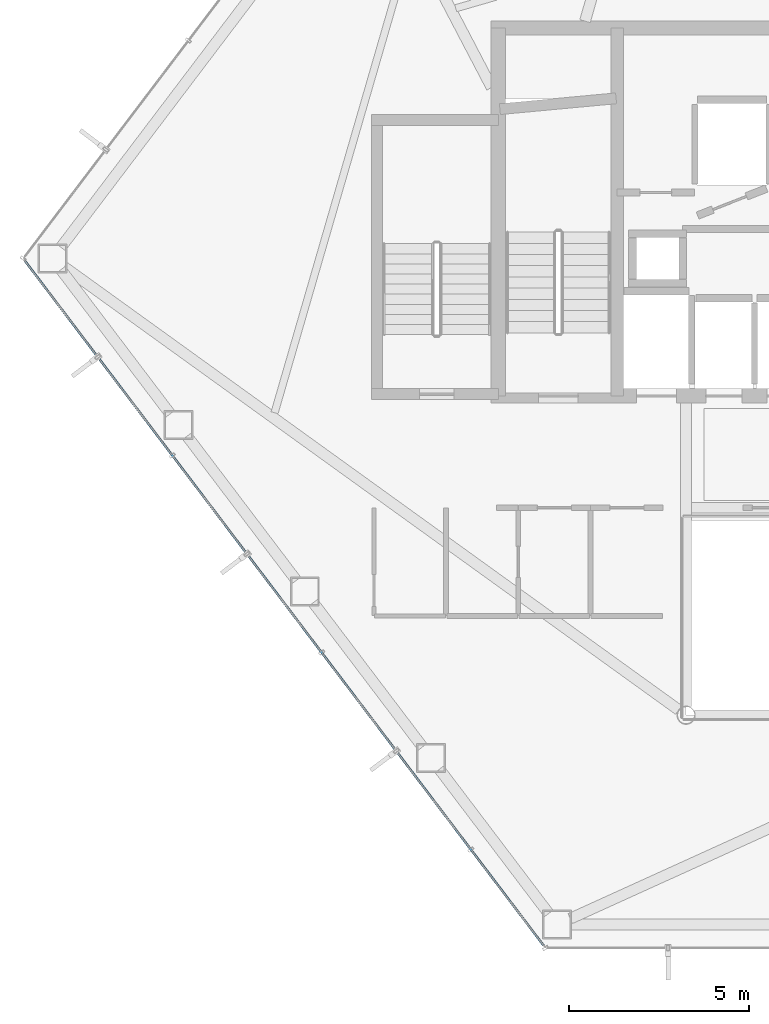
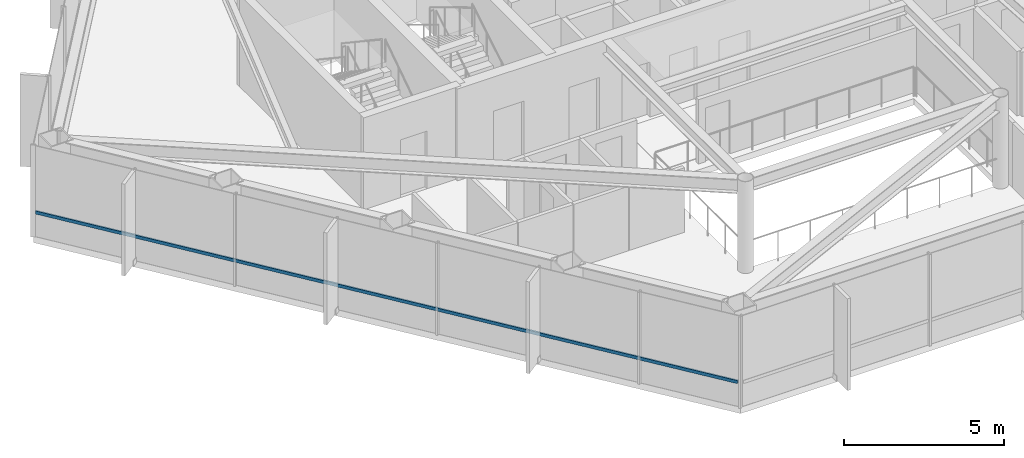
# One storey, part 3 of 29: 1 member, 1 element without a shape of its own.
"""IFC4 building model written with IfcOpenShell, lengths in metres."""

from ifc_helpers import new_model, si_unit, direction, frame, origin, origin_2d, place, context, subcontext, project, spatial, hollow_rectangle, extrude, material, layer, layer_set, material_profile, profile_set, type_object, element, aggregate, save


model = new_model("IFC4")

# Units and contexts
model_context = context("Model", 3, precision=1e-05, world=origin(), true_north=direction((0.0, 1.0)))
body_context = subcontext(model_context, "Body", "Model", "MODEL_VIEW")
ifc_project = project(units=[si_unit("LENGTHUNIT", "METRE"), si_unit("AREAUNIT", "SQUARE_METRE"), si_unit("VOLUMEUNIT", "CUBIC_METRE"), si_unit("PLANEANGLEUNIT", "RADIAN"), si_unit("MASSUNIT", "GRAM", prefix="KILO")], contexts=[model_context])

# Site, building, storey
site_placement = place(None, origin())
site = spatial("IfcSite", under=ifc_project, at=site_placement, CompositionType="ELEMENT")
building_placement = place(site_placement, origin())
building = spatial("IfcBuilding", under=site, at=building_placement, Name="Zarrinselat Tower", CompositionType="ELEMENT")
storey_placement = place(building_placement, frame((0.0, 0.0, 134.639892578125)))
storey = spatial("IfcBuildingStorey", under=building, at=storey_placement, Name="L32", CompositionType="ELEMENT", Elevation=134.639892578125)

# Curtain wall, member
ifc_material_1 = material(Name="Extruded Aluminium Alloy EN AW-6063 T6", Category="aluminium")
ifc_layer = layer(ifc_material_1, 0.175048828125)
ifc_layer_set = layer_set([ifc_layer], Name="Extruded Aluminium Alloy EN AW-6063 T6")
curtain_wall_type = type_object("IfcCurtainWallType", Name="CWS-HTL", PredefinedType="NOTDEFINED", material=ifc_layer_set)
curtain_wall_placement = place(storey_placement, origin())
curtain_wall = element("IfcCurtainWall", 1, at=curtain_wall_placement, inside=storey, type_object=curtain_wall_type, Name="L32 Unitised Curtain Wall CW-L32-E03", PredefinedType="NOTDEFINED")
ifc_material_2 = material(Name="Extruded Aluminium Alloy EN AW-6063 T6", Category="aluminium")
ifc_material_profile = material_profile(ifc_material_2, hollow_rectangle(XDim=0.06005859375, YDim=0.1201171875, WallThickness=0.00390625, at=origin_2d()), Name="RHS 120x60x4")
ifc_profile_set = profile_set([ifc_material_profile], Name="Extruded Aluminium Alloy EN AW-6063 T6")
member_type = type_object("IfcMemberType", Name="MEM-CW-TRN2", PredefinedType="USERDEFINED", material=ifc_profile_set)
member_placement = place(storey_placement, frame((15.476806640625, 36.988525390625, 0.9501953125), z_axis=(0.603861440437, -0.797089305381, 0.0), x_axis=(0.797089305381, 0.603861440437, 0.0)))
member = element("IfcMember", 2, at=member_placement, type_object=member_type, Name="CW-L32-E03 Transom 1", ObjectType="TRANSOM", PredefinedType="USERDEFINED", context=body_context, shape_type="SweptSolid", body=[
    extrude(hollow_rectangle(XDim=0.06005859375, YDim=0.1201171875, WallThickness=0.00390625, at=origin_2d()), origin(), (0.0, 0.0, 1.0), 23.80029296875),
])
aggregate(curtain_wall, [member])

save(model, "model.ifc")
